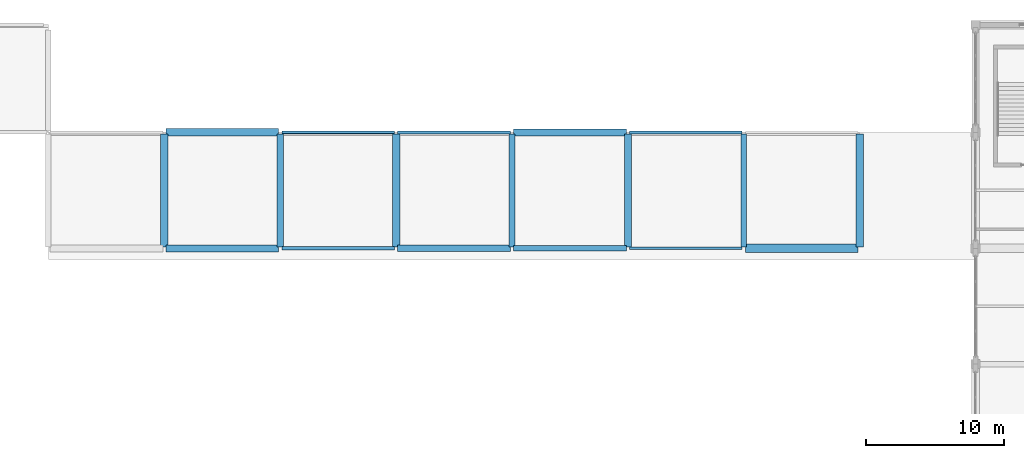
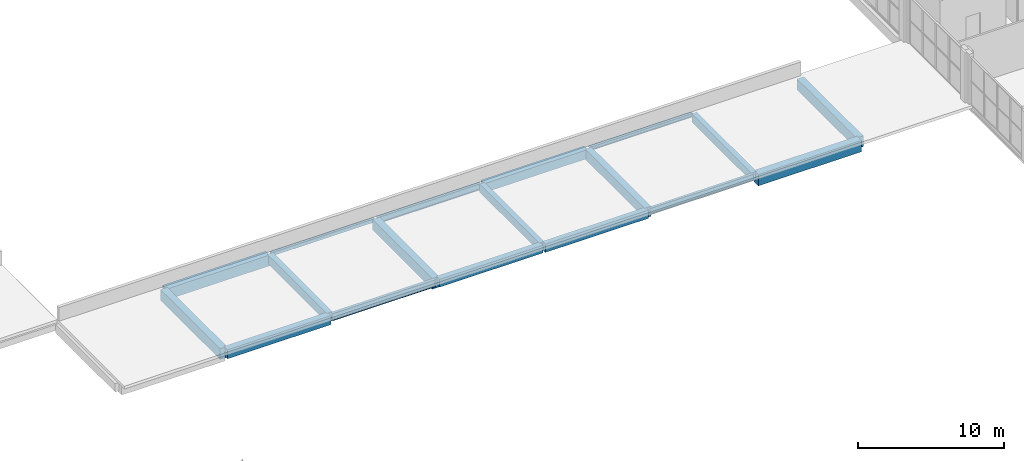
# One storey, part 32 of 59: 18 beams.
"""IFC4 building model written with IfcOpenShell, lengths in metres."""

from ifc_helpers import new_model, si_unit, derived_unit, direction, frame, origin, origin_2d, place, context, subcontext, project, spatial, rectangle, hollow_rectangle, i_section, extrude, material, material_profile, profile_set, type_object, element, save


model = new_model("IFC4")

# Units and contexts
model_context = context("Model", 3, precision=1e-05, world=origin(), true_north=direction((0.0, 1.0)))
body_context = subcontext(model_context, "Body", "Model", "MODEL_VIEW")
ifc_project = project(units=[si_unit("LENGTHUNIT", "METRE"), si_unit("AREAUNIT", "SQUARE_METRE"), si_unit("VOLUMEUNIT", "CUBIC_METRE"), si_unit("PLANEANGLEUNIT", "RADIAN"), si_unit("MASSUNIT", "GRAM", prefix="KILO"), derived_unit("THERMALTRANSMITTANCEUNIT", [(si_unit("POWERUNIT", "WATT"), 1), (si_unit("LENGTHUNIT", "METRE"), -2), (si_unit("THERMODYNAMICTEMPERATUREUNIT", "KELVIN"), -1)])], contexts=[model_context])

# Site, building, storey
site_placement = place(None, origin())
site = spatial("IfcSite", under=ifc_project, at=site_placement, CompositionType="ELEMENT")
building_placement = place(site_placement, origin())
building = spatial("IfcBuilding", under=site, at=building_placement, Name="Barrovel Congress Hotel", CompositionType="ELEMENT")
storey_placement = place(building_placement, frame((0.0, 0.0, 9.89990234375)))
storey = spatial("IfcBuildingStorey", under=building, at=storey_placement, Name="L02", CompositionType="ELEMENT", Elevation=9.89990234375)

# Beams
ifc_material_1 = material(Name="Concrete C40", Category="concrete")
ifc_material_profile_1 = material_profile(ifc_material_1, rectangle(XDim=0.39990234375, YDim=0.699951171875, at=origin_2d()), Name="RC400x700")
ifc_profile_set_1 = profile_set([ifc_material_profile_1], Name="Concrete C40")
beam_type_1 = type_object("IfcBeamType", Name="BM-RC400x700", PredefinedType="BEAM", material=ifc_profile_set_1)
for number, where, z_axis, x_axis, name in (
    (1, (92.509521484375, 96.60009765625, -0.60986328125), (1.0, 0.0, 0.0), (0.0, 1.0, 0.0), "BMX:L02:96.6:92.4-100.8"),
    (2, (92.39990234375, 96.70947265625, -0.60986328125), (0.0, 1.0, 0.0), (-1.0, 0.0, 0.0), "BMY:L02:92.4:96.6-105.0"),
    (3, (109.199951171875, 96.70947265625, -0.60986328125), (0.0, 1.0, 0.0), (-1.0, 0.0, 0.0), "BMY:L02:109.2:96.6-105.0"),
):
    element("IfcBeam", number, at=place(storey_placement, frame(where, z_axis=z_axis, x_axis=x_axis)), inside=storey, type_object=beam_type_1, Name=name, PredefinedType="BEAM", context=body_context, shape_type="SweptSolid", body=[
        extrude(rectangle(XDim=0.39990234375, YDim=0.699951171875, at=origin_2d()), origin(), (0.0, 0.0, 1.0), 8.180908203125),
    ])
ifc_material_profile_2 = material_profile(ifc_material_1, rectangle(XDim=0.449951171875, YDim=0.64990234375, at=origin_2d()), Name="RC450x650")
ifc_profile_set_2 = profile_set([ifc_material_profile_2], Name="Concrete C40")
beam_type_2 = type_object("IfcBeamType", Name="BM-RC450x650", PredefinedType="BEAM", material=ifc_profile_set_2)
beam_1_placement = place(storey_placement, frame((84.109619140625, 96.60009765625, -0.5849609375), z_axis=(1.0, 0.0, 0.0), x_axis=(0.0, 1.0, 0.0)))
element("IfcBeam", 4, at=beam_1_placement, inside=storey, type_object=beam_type_2, Name="BMX:L02:96.6:84.0-92.4", PredefinedType="BEAM", context=body_context, shape_type="SweptSolid", body=[
    extrude(rectangle(XDim=0.449951171875, YDim=0.64990234375, at=origin_2d()), origin(), (0.0, 0.0, 1.0), 8.180908203125),
])
ifc_material_profile_3 = material_profile(ifc_material_1, rectangle(XDim=0.449951171875, YDim=0.75, at=origin_2d()), Name="RC450x750")
ifc_profile_set_3 = profile_set([ifc_material_profile_3], Name="Concrete C40")
beam_type_3 = type_object("IfcBeamType", Name="BM-RC450x750", PredefinedType="BEAM", material=ifc_profile_set_3)
beam_2_placement = place(storey_placement, frame((75.60009765625, 96.70947265625, -0.635009765625), z_axis=(0.0, 1.0, 0.0), x_axis=(-1.0, 0.0, 0.0)))
element("IfcBeam", 5, at=beam_2_placement, inside=storey, type_object=beam_type_3, Name="BMY:L02:75.6:96.6-105.0", PredefinedType="BEAM", context=body_context, shape_type="SweptSolid", body=[
    extrude(rectangle(XDim=0.449951171875, YDim=0.75, at=origin_2d()), origin(), (0.0, 0.0, 1.0), 8.180908203125),
])
ifc_material_profile_4 = material_profile(ifc_material_1, rectangle(XDim=0.5, YDim=0.75, at=origin_2d()), Name="RC500x750")
ifc_profile_set_4 = profile_set([ifc_material_profile_4], Name="Concrete C40")
beam_type_4 = type_object("IfcBeamType", Name="BM-RC500x750", PredefinedType="BEAM", material=ifc_profile_set_4)
for number, where, z_axis, x_axis, name in (
    (6, (67.3095703125, 96.60009765625, -0.635009765625), (1.0, 0.0, 0.0), (0.0, 1.0, 0.0), "BMX:L02:96.6:67.2-75.6"),
    (7, (92.509521484375, 105.0, -0.635009765625), (1.0, 0.0, 0.0), (0.0, 1.0, 0.0), "BMX:L02:105.0:92.4-100.8"),
):
    element("IfcBeam", number, at=place(storey_placement, frame(where, z_axis=z_axis, x_axis=x_axis)), inside=storey, type_object=beam_type_4, Name=name, PredefinedType="BEAM", context=body_context, shape_type="SweptSolid", body=[
        extrude(rectangle(XDim=0.5, YDim=0.75, at=origin_2d()), origin(), (0.0, 0.0, 1.0), 8.180908203125),
    ])
ifc_material_profile_5 = material_profile(ifc_material_1, rectangle(XDim=0.5, YDim=0.85009765625, at=origin_2d()), Name="RC500x850")
ifc_profile_set_5 = profile_set([ifc_material_profile_5], Name="Concrete C40")
beam_type_5 = type_object("IfcBeamType", Name="BM-RC500x850", PredefinedType="BEAM", material=ifc_profile_set_5)
beam_3_placement = place(storey_placement, frame((100.800048828125, 96.70947265625, -0.684814453125), z_axis=(0.0, 1.0, 0.0), x_axis=(-1.0, 0.0, 0.0)))
element("IfcBeam", 8, at=beam_3_placement, inside=storey, type_object=beam_type_5, Name="BMY:L02:100.8:96.6-105.0", PredefinedType="BEAM", context=body_context, shape_type="SweptSolid", body=[
    extrude(rectangle(XDim=0.5, YDim=0.85009765625, at=origin_2d()), origin(), (0.0, 0.0, 1.0), 8.180908203125),
])
ifc_material_profile_6 = material_profile(ifc_material_1, rectangle(XDim=0.550048828125, YDim=0.89990234375, at=origin_2d()), Name="RC550x900")
ifc_profile_set_6 = profile_set([ifc_material_profile_6], Name="Concrete C40")
beam_type_6 = type_object("IfcBeamType", Name="BM-RC550x900", PredefinedType="BEAM", material=ifc_profile_set_6)
for number, where, z_axis, x_axis, name in (
    (9, (67.3095703125, 105.0, -0.7099609375), (1.0, 0.0, 0.0), (0.0, 1.0, 0.0), "BMX:L02:105.0:67.2-75.6"),
    (10, (67.199951171875, 96.70947265625, -0.7099609375), (0.0, 1.0, 0.0), (-1.0, 0.0, 0.0), "BMY:L02:67.2:96.6-105.0"),
    (11, (84.0, 96.70947265625, -0.7099609375), (0.0, 1.0, 0.0), (-1.0, 0.0, 0.0), "BMY:L02:84.0:96.6-105.0"),
    (12, (117.60009765625, 96.70947265625, -0.7099609375), (0.0, 1.0, 0.0), (-1.0, 0.0, 0.0), "BMY:L02:117.6:96.6-105.0"),
):
    element("IfcBeam", number, at=place(storey_placement, frame(where, z_axis=z_axis, x_axis=x_axis)), inside=storey, type_object=beam_type_6, Name=name, PredefinedType="BEAM", context=body_context, shape_type="SweptSolid", body=[
        extrude(rectangle(XDim=0.550048828125, YDim=0.89990234375, at=origin_2d()), origin(), (0.0, 0.0, 1.0), 8.180908203125),
    ])
ifc_material_profile_7 = material_profile(ifc_material_1, rectangle(XDim=0.60009765625, YDim=0.949951171875, at=origin_2d()), Name="RC600x950")
ifc_profile_set_7 = profile_set([ifc_material_profile_7], Name="Concrete C40")
beam_type_7 = type_object("IfcBeamType", Name="BM-RC600x950", PredefinedType="BEAM", material=ifc_profile_set_7)
beam_4_placement = place(storey_placement, frame((109.3095703125, 96.60009765625, -0.73486328125), z_axis=(1.0, 0.0, 0.0), x_axis=(0.0, 1.0, 0.0)))
element("IfcBeam", 13, at=beam_4_placement, inside=storey, type_object=beam_type_7, Name="BMX:L02:96.6:109.2-117.6", PredefinedType="BEAM", context=body_context, shape_type="SweptSolid", body=[
    extrude(rectangle(XDim=0.60009765625, YDim=0.949951171875, at=origin_2d()), origin(), (0.0, 0.0, 1.0), 8.180908203125),
])
ifc_material_2 = material(Name="Steel ASTM A500 Grade C", Category="steel")
ifc_material_profile_8 = material_profile(ifc_material_2, hollow_rectangle(XDim=0.203125, YDim=0.3046875, WallThickness=0.01171875, InnerFilletRadius=0.01171875, OuterFilletRadius=0.023681640625, at=origin_2d()), Name="HSS305x203x12.7")
ifc_profile_set_8 = profile_set([ifc_material_profile_8], Name="Steel ASTM A500 Grade C")
beam_type_8 = type_object("IfcBeamType", Name="SBM-HSS305x203x12.7", PredefinedType="SPANDREL", material=ifc_profile_set_8)
beam_5_placement = place(storey_placement, frame((75.70947265625, 105.0, -0.412353515625), z_axis=(1.0, 0.0, 0.0), x_axis=(0.0, 1.0, 0.0)))
element("IfcBeam", 14, at=beam_5_placement, inside=storey, type_object=beam_type_8, Name="BMX:L02:105.0:75.6-84.0", PredefinedType="SPANDREL", context=body_context, shape_type="SweptSolid", body=[
    extrude(hollow_rectangle(XDim=0.203125, YDim=0.3046875, WallThickness=0.01171875, InnerFilletRadius=0.01171875, OuterFilletRadius=0.023681640625, at=origin_2d()), origin(), (0.0, 0.0, 1.0), 8.180908203125),
])
ifc_material_3 = material(Name="Steel ASTM A992 Grade 50", Category="steel")
ifc_material_profile_9 = material_profile(ifc_material_3, i_section(OverallWidth=0.205078125, OverallDepth=0.31005859375, WebThickness=0.009521484375, FlangeThickness=0.016357421875, FilletRadius=0.012939453125, at=origin_2d()), Name="W310x74")
ifc_profile_set_9 = profile_set([ifc_material_profile_9], Name="Steel ASTM A992 Grade 50")
beam_type_9 = type_object("IfcBeamType", Name="SBM-W310x74", PredefinedType="SPANDREL", material=ifc_profile_set_9)
beam_6_placement = place(storey_placement, frame((100.909423828125, 105.0, -0.414794921875), z_axis=(1.0, 0.0, 0.0), x_axis=(0.0, 1.0, 0.0)))
element("IfcBeam", 15, at=beam_6_placement, inside=storey, type_object=beam_type_9, Name="BMX:L02:105.0:100.8-109.2", PredefinedType="SPANDREL", context=body_context, shape_type="SweptSolid", body=[
    extrude(i_section(OverallWidth=0.205078125, OverallDepth=0.31005859375, WebThickness=0.009521484375, FlangeThickness=0.016357421875, FilletRadius=0.012939453125, at=origin_2d()), origin(), (0.0, 0.0, 1.0), 8.18115234375),
])
ifc_material_profile_10 = material_profile(ifc_material_3, i_section(OverallWidth=0.208984375, OverallDepth=0.529052734375, WebThickness=0.009765625, FlangeThickness=0.013671875, FilletRadius=0.013916015625, at=origin_2d()), Name="W530x74")
ifc_profile_set_10 = profile_set([ifc_material_profile_10], Name="Steel ASTM A992 Grade 50")
beam_type_10 = type_object("IfcBeamType", Name="SBM-W530x74", PredefinedType="BEAM", material=ifc_profile_set_10)
beam_7_placement = place(storey_placement, frame((100.909423828125, 96.60009765625, -0.5244140625), z_axis=(1.0, 0.0, 0.0), x_axis=(0.0, 1.0, 0.0)))
element("IfcBeam", 16, at=beam_7_placement, inside=storey, type_object=beam_type_10, Name="BMX:L02:96.6:100.8-109.2", PredefinedType="BEAM", context=body_context, shape_type="SweptSolid", body=[
    extrude(i_section(OverallWidth=0.208984375, OverallDepth=0.529052734375, WebThickness=0.009765625, FlangeThickness=0.013671875, FilletRadius=0.013916015625, at=origin_2d()), origin(), (0.0, 0.0, 1.0), 8.18115234375),
])
ifc_material_profile_11 = material_profile(ifc_material_3, i_section(OverallWidth=0.208984375, OverallDepth=0.532958984375, WebThickness=0.01025390625, FlangeThickness=0.015625, FilletRadius=0.013916015625, at=origin_2d()), Name="W530x92")
ifc_profile_set_11 = profile_set([ifc_material_profile_11], Name="Steel ASTM A992 Grade 50")
beam_type_11 = type_object("IfcBeamType", Name="SBM-W530x92", PredefinedType="BEAM", material=ifc_profile_set_11)
beam_8_placement = place(storey_placement, frame((84.109619140625, 105.0, -0.5263671875), z_axis=(1.0, 0.0, 0.0), x_axis=(0.0, 1.0, 0.0)))
element("IfcBeam", 17, at=beam_8_placement, inside=storey, type_object=beam_type_11, Name="BMX:L02:105.0:84.0-92.4", PredefinedType="BEAM", context=body_context, shape_type="SweptSolid", body=[
    extrude(i_section(OverallWidth=0.208984375, OverallDepth=0.532958984375, WebThickness=0.01025390625, FlangeThickness=0.015625, FilletRadius=0.013916015625, at=origin_2d()), origin(), (0.0, 0.0, 1.0), 8.180908203125),
])
ifc_material_profile_12 = material_profile(ifc_material_3, i_section(OverallWidth=0.22802734375, OverallDepth=0.60302734375, WebThickness=0.010498046875, FlangeThickness=0.014892578125, FilletRadius=0.014892578125, at=origin_2d()), Name="W610x101")
ifc_profile_set_12 = profile_set([ifc_material_profile_12], Name="Steel ASTM A992 Grade 50")
beam_type_12 = type_object("IfcBeamType", Name="SBM-W610x101", PredefinedType="BEAM", material=ifc_profile_set_12)
beam_9_placement = place(storey_placement, frame((75.70947265625, 96.60009765625, -0.5615234375), z_axis=(1.0, 0.0, 0.0), x_axis=(0.0, 1.0, 0.0)))
element("IfcBeam", 18, at=beam_9_placement, inside=storey, type_object=beam_type_12, Name="BMX:L02:96.6:75.6-84.0", PredefinedType="BEAM", context=body_context, shape_type="SweptSolid", body=[
    extrude(i_section(OverallWidth=0.22802734375, OverallDepth=0.60302734375, WebThickness=0.010498046875, FlangeThickness=0.014892578125, FilletRadius=0.014892578125, at=origin_2d()), origin(), (0.0, 0.0, 1.0), 8.180908203125),
])

save(model, "model.ifc")
